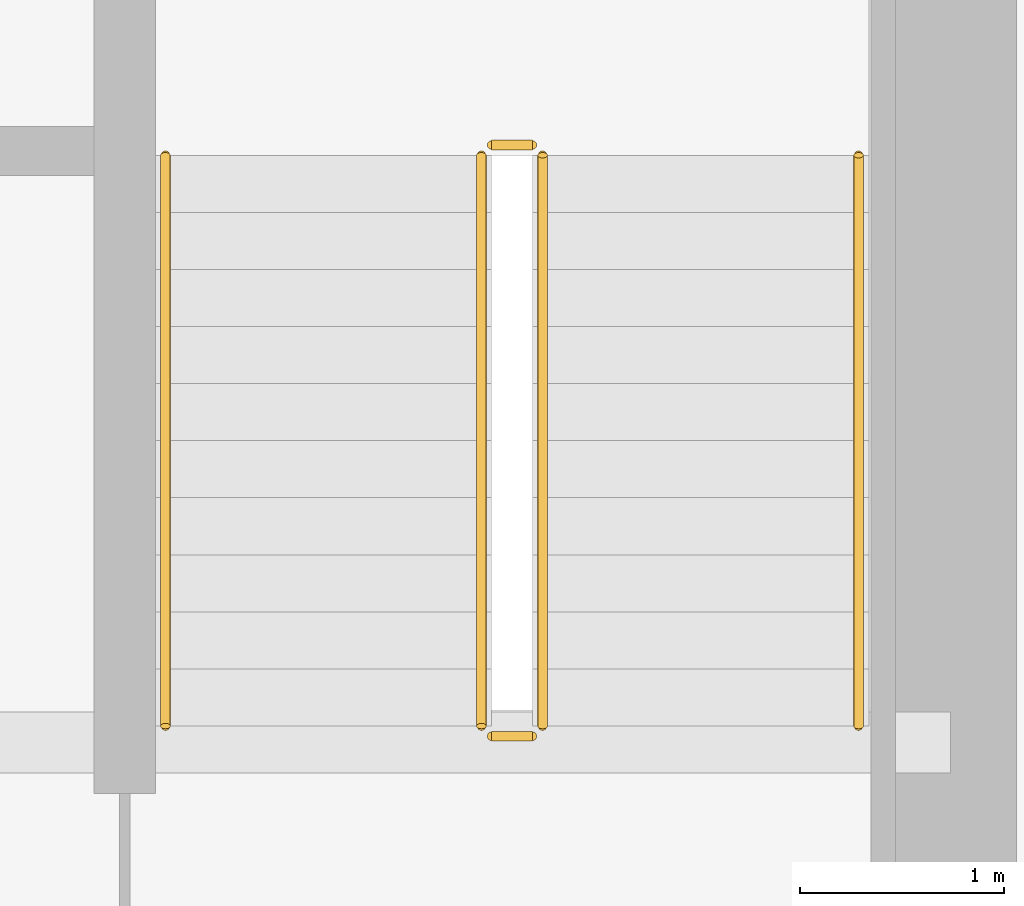
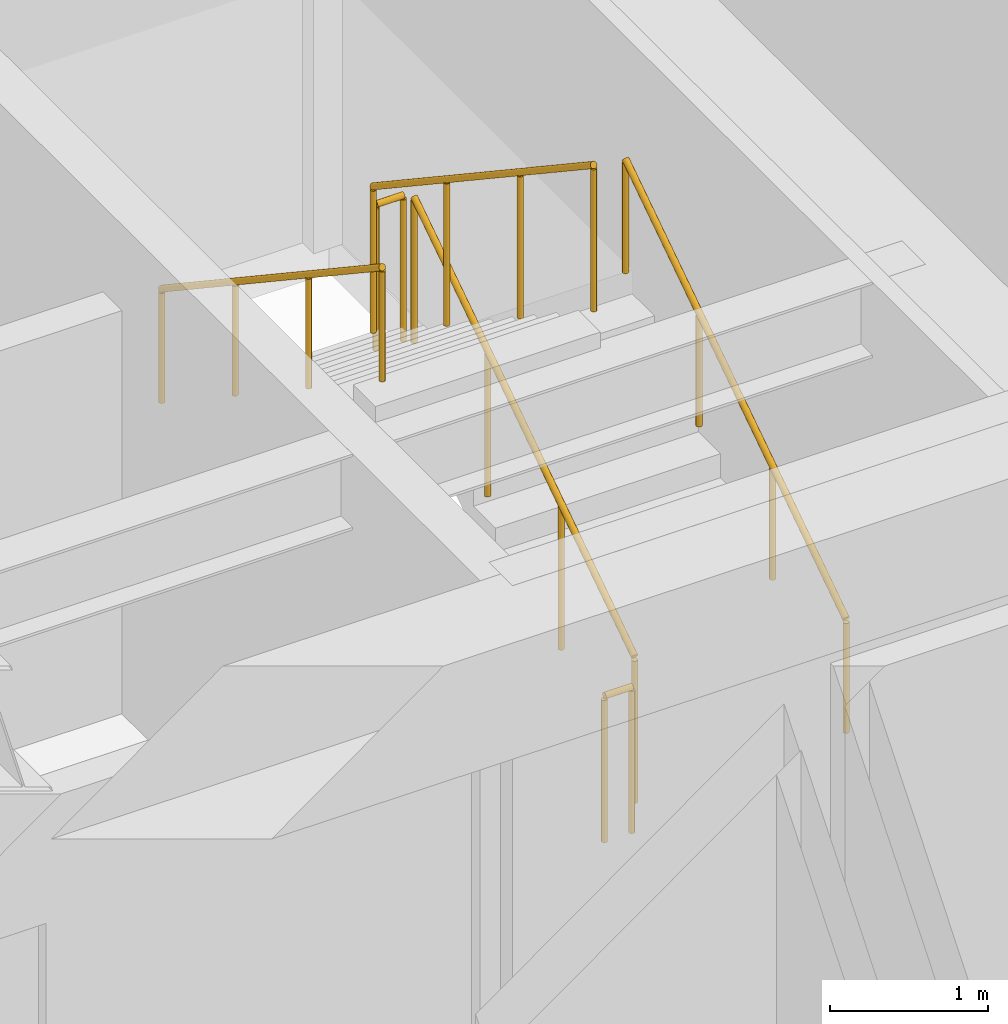
# One storey, part 30 of 30: 6 railings.
"""IFC4 building model written with IfcOpenShell, lengths in metres."""

from ifc_helpers import new_model, si_unit, direction, frame, origin, origin_2d, place, context, subcontext, project, spatial, circle, extrude, source, transform, mapped, material, type_object, type_shapes, element, save


model = new_model("IFC4")

# Units and contexts
model_context = context("Model", 3, precision=1e-05, world=origin(), true_north=direction((0.0, 1.0)))
body_context = subcontext(model_context, "Body", "Model", "MODEL_VIEW")
ifc_project = project(units=[si_unit("LENGTHUNIT", "METRE"), si_unit("AREAUNIT", "SQUARE_METRE"), si_unit("VOLUMEUNIT", "CUBIC_METRE"), si_unit("PLANEANGLEUNIT", "RADIAN"), si_unit("MASSUNIT", "GRAM", prefix="KILO")], contexts=[model_context])

# Site, building, storey
site_placement = place(None, origin())
site = spatial("IfcSite", under=ifc_project, at=site_placement, CompositionType="ELEMENT")
building_placement = place(site_placement, origin())
building = spatial("IfcBuilding", under=site, at=building_placement, Name="Haelvirn Gate Laboratories", CompositionType="ELEMENT")
storey_placement = place(building_placement, frame((0.0, 0.0, 129.699951171875)))
storey = spatial("IfcBuildingStorey", under=building, at=storey_placement, Name="L31", CompositionType="ELEMENT", Elevation=129.699951171875)

# Railings
ifc_material_1 = material(Name="Galvanised steel SM355 & stainless top rail", Category="steel")
railing_type_1 = type_object("IfcRailingType", Name="RL-GUARD-1150", PredefinedType="GUARDRAIL", material=ifc_material_1)
shared_shape_1 = source(origin(), body_context, "Body", "SweptSolid", [
    extrude(circle(Radius=0.02392578125, at=origin_2d()), frame((0.0, 0.0, 1.1259765625), z_axis=(0.0, 0.832485552168, 0.554046753832), x_axis=(-1.0, 0.0, 0.0)), (0.0, 0.0, 1.0), 3.363525390625),
    extrude(circle(Radius=0.02099609375, at=origin_2d()), origin(), (0.0, 0.0, 1.0), 1.101806640625),
    extrude(circle(Radius=0.02099609375, at=origin_2d()), frame((0.0, 0.933349609375, 0.62109375)), (0.0, 0.0, 1.0), 1.101806640625),
    extrude(circle(Radius=0.02099609375, at=origin_2d()), frame((0.0, 1.86669921875, 1.242431640625)), (0.0, 0.0, 1.0), 1.101806640625),
    extrude(circle(Radius=0.02099609375, at=origin_2d()), frame((0.0, 2.800048828125, 1.863525390625)), (0.0, 0.0, 1.0), 1.101806640625),
])
railing_1_placement = place(storey_placement, frame((65.39990234375, 26.699951171875, 0.1865234375)))
element("IfcRailing", 1, at=railing_1_placement, inside=storey, type_object=railing_type_1, Name="L31 ST2 stair guard 1", PredefinedType="GUARDRAIL", context=body_context, shape_type="MappedRepresentation", body=[
    mapped(shared_shape_1, transform((0.0, 0.0, 0.0), scale=1.0)),
])
shared_shape_2 = source(origin(), body_context, "Body", "SweptSolid", [
    extrude(circle(Radius=0.02392578125, at=origin_2d()), frame((0.0, 0.0, 1.1259765625), z_axis=(0.0, -0.832452072856, 0.554097055034), x_axis=(1.0, 0.0, 0.0)), (0.0, 0.0, 1.0), 3.363525390625),
    extrude(circle(Radius=0.02099609375, at=origin_2d()), origin(), (0.0, 0.0, 1.0), 1.101806640625),
    extrude(circle(Radius=0.02099609375, at=origin_2d()), frame((0.0, -0.933349609375, 0.621337890625)), (0.0, 0.0, 1.0), 1.101806640625),
    extrude(circle(Radius=0.02099609375, at=origin_2d()), frame((0.0, -1.86669921875, 1.242431640625)), (0.0, 0.0, 1.0), 1.101806640625),
    extrude(circle(Radius=0.02099609375, at=origin_2d()), frame((0.0, -2.800048828125, 1.86376953125)), (0.0, 0.0, 1.0), 1.101806640625),
])
railing_2_placement = place(storey_placement, frame((65.10009765625, 29.5, 2.236328125)))
element("IfcRailing", 2, at=railing_2_placement, inside=storey, type_object=railing_type_1, Name="L31 ST2 stair guard 3", PredefinedType="GUARDRAIL", context=body_context, shape_type="MappedRepresentation", body=[
    mapped(shared_shape_2, transform((0.0, 0.0, 0.0), scale=1.0)),
])
ifc_material_2 = material(Name="Brushed stainless steel 316L", Category="steel")
railing_type_2 = type_object("IfcRailingType", Name="RL-HAND-920", PredefinedType="HANDRAIL", material=ifc_material_2)
shared_shape_3 = source(origin(), body_context, "Body", "SweptSolid", [
    extrude(circle(Radius=0.02392578125, at=origin_2d()), frame((0.0, 0.0, 0.8759765625), z_axis=(0.0, 0.832485552168, 0.554046753832), x_axis=(-1.0, 0.0, 0.0)), (0.0, 0.0, 1.0), 3.363525390625),
    extrude(circle(Radius=0.02099609375, at=origin_2d()), origin(), (0.0, 0.0, 1.0), 0.851806640625),
    extrude(circle(Radius=0.02099609375, at=origin_2d()), frame((0.0, 0.933349609375, 0.62109375)), (0.0, 0.0, 1.0), 0.851806640625),
    extrude(circle(Radius=0.02099609375, at=origin_2d()), frame((0.0, 1.86669921875, 1.242431640625)), (0.0, 0.0, 1.0), 0.851806640625),
    extrude(circle(Radius=0.02099609375, at=origin_2d()), frame((0.0, 2.800048828125, 1.863525390625)), (0.0, 0.0, 1.0), 0.851806640625),
])
railing_3_placement = place(storey_placement, frame((66.949951171875, 26.699951171875, 0.1865234375)))
element("IfcRailing", 3, at=railing_3_placement, inside=storey, type_object=railing_type_2, Name="L31 ST2 stair handrail 1", PredefinedType="HANDRAIL", context=body_context, shape_type="MappedRepresentation", body=[
    mapped(shared_shape_3, transform((0.0, 0.0, 0.0), scale=1.0)),
])
shared_shape_4 = source(origin(), body_context, "Body", "SweptSolid", [
    extrude(circle(Radius=0.02392578125, at=origin_2d()), frame((0.0, 0.0, 0.8759765625), z_axis=(0.0, -0.832452072856, 0.554097055034), x_axis=(1.0, 0.0, 0.0)), (0.0, 0.0, 1.0), 3.363525390625),
    extrude(circle(Radius=0.02099609375, at=origin_2d()), origin(), (0.0, 0.0, 1.0), 0.851806640625),
    extrude(circle(Radius=0.02099609375, at=origin_2d()), frame((0.0, -0.933349609375, 0.621337890625)), (0.0, 0.0, 1.0), 0.851806640625),
    extrude(circle(Radius=0.02099609375, at=origin_2d()), frame((0.0, -1.86669921875, 1.242431640625)), (0.0, 0.0, 1.0), 0.851806640625),
    extrude(circle(Radius=0.02099609375, at=origin_2d()), frame((0.0, -2.800048828125, 1.86376953125)), (0.0, 0.0, 1.0), 0.851806640625),
])
type_shapes(railing_type_2, [shared_shape_3, shared_shape_4])
railing_4_placement = place(storey_placement, frame((63.550048828125, 29.5, 2.236328125)))
element("IfcRailing", 4, at=railing_4_placement, inside=storey, type_object=railing_type_2, Name="L31 ST2 stair handrail 2", PredefinedType="HANDRAIL", context=body_context, shape_type="MappedRepresentation", body=[
    mapped(shared_shape_4, transform((0.0, 0.0, 0.0), scale=1.0)),
])
shared_shape_5 = source(origin(), body_context, "Body", "SweptSolid", [
    extrude(circle(Radius=0.02392578125, at=origin_2d()), frame((0.0, 0.0, 1.1259765625), z_axis=(-1.0, 0.0, 0.0), x_axis=(0.0, -1.0, 0.0)), (0.0, 0.0, 1.0), 0.2001953125),
    extrude(circle(Radius=0.02099609375, at=origin_2d()), origin(), (0.0, 0.0, 1.0), 1.101806640625),
    extrude(circle(Radius=0.02099609375, at=origin_2d()), frame((-0.2001953125, 0.0, 0.0)), (0.0, 0.0, 1.0), 1.101806640625),
])
type_shapes(railing_type_1, [shared_shape_1, shared_shape_2, shared_shape_5])
for number, where, name in (
    (5, (65.35009765625, 29.550048828125, 2.050048828125), "L31 ST2 stair guard 2"),
    (6, (65.35009765625, 26.64990234375, 0.0), "L31 ST2 stair guard 4"),
):
    element("IfcRailing", number, at=place(storey_placement, frame(where)), inside=storey, type_object=railing_type_1, Name=name, PredefinedType="GUARDRAIL", context=body_context, shape_type="MappedRepresentation", body=[
        mapped(shared_shape_5, transform((0.0, 0.0, 0.0), scale=1.0)),
    ])

save(model, "model.ifc")
